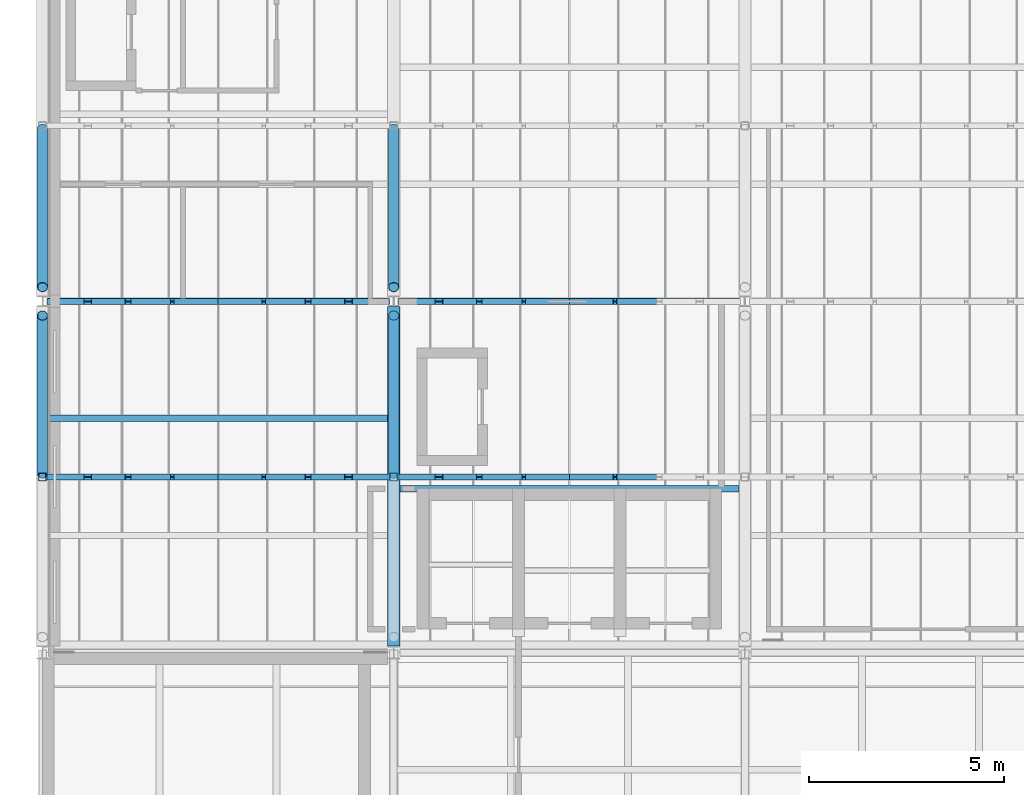
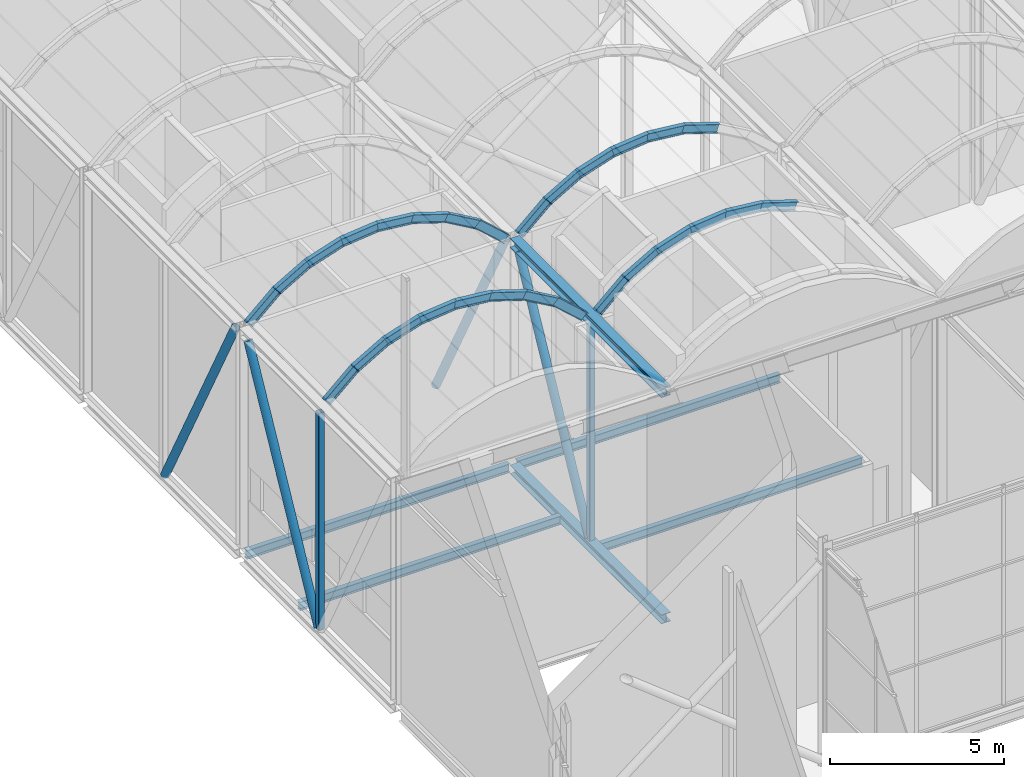
# One storey, part 94 of 144: 34 members, 6 beams.
"""IFC4 building model written with IfcOpenShell, lengths in metres."""

from ifc_helpers import new_model, si_unit, direction, frame, origin, origin_2d, place, context, subcontext, project, spatial, hollow_rectangle, hollow_circle, i_section, extrude, material, material_profile, profile_set, type_object, element, save


model = new_model("IFC4")

# Units and contexts
model_context = context("Model", 3, precision=1e-05, world=origin(), true_north=direction((0.0, 1.0)))
body_context = subcontext(model_context, "Body", "Model", "MODEL_VIEW")
ifc_project = project(units=[si_unit("LENGTHUNIT", "METRE"), si_unit("AREAUNIT", "SQUARE_METRE"), si_unit("VOLUMEUNIT", "CUBIC_METRE"), si_unit("PLANEANGLEUNIT", "RADIAN"), si_unit("MASSUNIT", "GRAM", prefix="KILO")], contexts=[model_context])

# Site, building, storey
site_placement = place(None, origin())
site = spatial("IfcSite", under=ifc_project, at=site_placement, CompositionType="ELEMENT")
building_placement = place(site_placement, origin())
building = spatial("IfcBuilding", under=site, at=building_placement, Name="Shorebreak Coast Museum", CompositionType="ELEMENT")
storey_placement = place(building_placement, frame((0.0, 0.0, 36.0)))
storey = spatial("IfcBuildingStorey", under=building, at=storey_placement, Name="L06", CompositionType="ELEMENT", Elevation=36.0)

# Beams
ifc_material_1 = material(Name="Steel Grade 300", Category="steel")
ifc_material_profile_1 = material_profile(ifc_material_1, i_section(OverallWidth=0.166015625, OverallDepth=0.30712890625, WebThickness=0.006591796875, FlangeThickness=0.01171875, FilletRadius=0.011474609375, at=origin_2d()), Name="310UB46.2")
ifc_profile_set_1 = profile_set([ifc_material_profile_1], Name="Steel Grade 300")
beam_type_1 = type_object("IfcBeamType", Name="Floor girder east-west 310UB46.2", PredefinedType="BEAM", material=ifc_profile_set_1)
for number, where, z_axis, x_axis, name in (
    (1, (54.126953125, 99.0, -0.32861328125), (1.0, 0.0, 0.0), (0.0, 1.0, 0.0), "Floor girder east-west L06 7M"),
    (2, (63.126953125, 99.0, -0.32861328125), (1.0, 0.0, 0.0), (0.0, 1.0, 0.0), "Floor girder east-west L06 8M"),
):
    element("IfcBeam", number, at=place(storey_placement, frame(where, z_axis=z_axis, x_axis=x_axis)), inside=storey, type_object=beam_type_1, Name=name, PredefinedType="BEAM", context=body_context, shape_type="SweptSolid", body=[
        extrude(i_section(OverallWidth=0.166015625, OverallDepth=0.30712890625, WebThickness=0.006591796875, FlangeThickness=0.01171875, FilletRadius=0.011474609375, at=origin_2d()), origin(), (0.0, 0.0, 1.0), 8.74609375),
    ])
ifc_material_2 = material(Name="Steel Grade 300", Category="steel")
ifc_material_profile_2 = material_profile(ifc_material_2, i_section(OverallWidth=0.1650390625, OverallDepth=0.303955078125, WebThickness=0.006103515625, FlangeThickness=0.01025390625, FilletRadius=0.011474609375, at=origin_2d()), Name="310UB40.4")
ifc_profile_set_2 = profile_set([ifc_material_profile_2], Name="Steel Grade 300")
beam_type_2 = type_object("IfcBeamType", Name="Floor joist 310UB40.4", PredefinedType="JOIST", material=ifc_profile_set_2)
for number, where, z_axis, x_axis, name in (
    (3, (54.155517578125, 96.0, -0.326904296875), (1.0, 0.0, 0.0), (0.0, 1.0, 0.0), "Floor joist L06 bay 7L at 6000 mm"),
    (4, (63.155517578125, 94.199951171875, -0.326904296875), (1.0, 0.0, 0.0), (0.0, 1.0, 0.0), "Floor joist L06 bay 8L at 4200 mm"),
):
    element("IfcBeam", number, at=place(storey_placement, frame(where, z_axis=z_axis, x_axis=x_axis)), inside=storey, type_object=beam_type_2, Name=name, PredefinedType="JOIST", context=body_context, shape_type="SweptSolid", body=[
        extrude(i_section(OverallWidth=0.1650390625, OverallDepth=0.303955078125, WebThickness=0.006103515625, FlangeThickness=0.01025390625, FilletRadius=0.011474609375, at=origin_2d()), origin(), (0.0, 0.0, 1.0), 8.68896484375),
    ])
ifc_material_3 = material(Name="Steel Grade 300", Category="steel")
ifc_material_profile_3 = material_profile(ifc_material_3, i_section(OverallWidth=0.30908203125, OverallDepth=0.320556640625, WebThickness=0.013916015625, FlangeThickness=0.021728515625, FilletRadius=0.0166015625, at=origin_2d()), Name="310UC137")
ifc_profile_set_3 = profile_set([ifc_material_profile_3], Name="Steel Grade 300")
beam_type_3 = type_object("IfcBeamType", Name="Transfer truss chord 310UC137", PredefinedType="BEAM", material=ifc_profile_set_3)
beam_1_placement = place(storey_placement, frame((63.0, 90.16357421875, -0.335205078125), z_axis=(0.0, 1.0, 0.0), x_axis=(-1.0, 0.0, 0.0)))
element("IfcBeam", 5, at=beam_1_placement, inside=storey, type_object=beam_type_3, Name="Transfer truss TR2 chord C05", PredefinedType="BEAM", context=body_context, shape_type="SweptSolid", body=[
    extrude(i_section(OverallWidth=0.30908203125, OverallDepth=0.320556640625, WebThickness=0.013916015625, FlangeThickness=0.021728515625, FilletRadius=0.0166015625, at=origin_2d()), origin(), (0.0, 0.0, 1.0), 8.70947265625),
])
ifc_material_4 = material(Name="Steel Grade 300", Category="steel")
ifc_material_profile_4 = material_profile(ifc_material_4, i_section(OverallWidth=0.31103515625, OverallDepth=0.3271484375, WebThickness=0.015625, FlangeThickness=0.02490234375, FilletRadius=0.0166015625, at=origin_2d()), Name="310UC158")
ifc_profile_set_4 = profile_set([ifc_material_profile_4], Name="Steel Grade 300")
beam_type_4 = type_object("IfcBeamType", Name="Transfer truss chord 310UC158", PredefinedType="BEAM", material=ifc_profile_set_4)
beam_2_placement = place(storey_placement, frame((63.0, 90.16357421875, 7.621337890625), z_axis=(0.0, 1.0, 0.0), x_axis=(-1.0, 0.0, 0.0)))
element("IfcBeam", 6, at=beam_2_placement, inside=storey, type_object=beam_type_4, Name="Transfer truss TR2 chord C09", PredefinedType="BEAM", context=body_context, shape_type="SweptSolid", body=[
    extrude(i_section(OverallWidth=0.31103515625, OverallDepth=0.3271484375, WebThickness=0.015625, FlangeThickness=0.02490234375, FilletRadius=0.0166015625, at=origin_2d()), origin(), (0.0, 0.0, 1.0), 8.70947265625),
])

# Members
ifc_material_5 = material(Name="Steel Grade C350L0", Category="steel")
ifc_material_profile_5 = material_profile(ifc_material_5, hollow_circle(Radius=0.136474609375, WallThickness=0.00927734375, at=origin_2d()), Name="273.1x9.3 CHS")
ifc_profile_set_5 = profile_set([ifc_material_profile_5], Name="Steel Grade C350L0")
member_type_1 = type_object("IfcMemberType", Name="Transfer truss diagonal 273.1x9.3 CHS", PredefinedType="BRACE", material=ifc_profile_set_5)
for number, where, z_axis, x_axis, name in (
    (7, (54.0, 94.585205078125, -0.175048828125), (0.0, 0.468802638879, 0.883302941114), (-1.0, 0.0, 0.0), "Transfer truss TR1 diagonal D11"),
    (8, (54.0, 103.414794921875, -0.175048828125), (0.0, -0.468802638879, 0.883302941114), (1.0, 0.0, 0.0), "Transfer truss TR1 diagonal D12"),
    (9, (63.0, 94.585205078125, -0.175048828125), (0.0, 0.468802638879, 0.883302941114), (-1.0, 0.0, 0.0), "Transfer truss TR2 diagonal D11"),
    (10, (63.0, 103.414794921875, -0.175048828125), (0.0, -0.468802638879, 0.883302941114), (1.0, 0.0, 0.0), "Transfer truss TR2 diagonal D12"),
):
    element("IfcMember", number, at=place(storey_placement, frame(where, z_axis=z_axis, x_axis=x_axis)), inside=storey, type_object=member_type_1, Name=name, PredefinedType="BRACE", context=body_context, shape_type="SweptSolid", body=[
        extrude(hollow_circle(Radius=0.136474609375, WallThickness=0.00927734375, at=origin_2d()), origin(), (0.0, 0.0, 1.0), 8.64111328125),
    ])
ifc_material_6 = material(Name="Steel Grade C450L0", Category="steel")
ifc_material_profile_6 = material_profile(ifc_material_6, hollow_rectangle(XDim=0.199951171875, YDim=0.199951171875, WallThickness=0.009033203125, InnerFilletRadius=0.013427734375, OuterFilletRadius=0.0224609375, at=origin_2d()), Name="200x200x9.0 SHS")
ifc_profile_set_6 = profile_set([ifc_material_profile_6], Name="Steel Grade C450L0")
member_type_2 = type_object("IfcMemberType", Name="Transfer truss strut 200x200x9.0 SHS", PredefinedType="STRUT", material=ifc_profile_set_6)
for number, where, z_axis, x_axis, name in (
    (11, (54.0, 94.5, -0.175048828125), (0.0, 0.0, 1.0), (1.0, 0.0, 0.0), "Transfer truss TR1 strut V08"),
    (12, (63.0, 94.5, -0.175048828125), (0.0, 0.0, 1.0), (1.0, 0.0, 0.0), "Transfer truss TR2 strut V08"),
):
    element("IfcMember", number, at=place(storey_placement, frame(where, z_axis=z_axis, x_axis=x_axis)), inside=storey, type_object=member_type_2, Name=name, PredefinedType="STRUT", context=body_context, shape_type="SweptSolid", body=[
        extrude(hollow_rectangle(XDim=0.199951171875, YDim=0.199951171875, WallThickness=0.009033203125, InnerFilletRadius=0.013427734375, OuterFilletRadius=0.0224609375, at=origin_2d()), origin(), (0.0, 0.0, 1.0), 7.6328125),
    ])
ifc_material_7 = material(Name="Steel Grade 300", Category="steel")
ifc_material_profile_7 = material_profile(ifc_material_7, i_section(OverallWidth=0.14892578125, OverallDepth=0.298095703125, WebThickness=0.005615234375, FlangeThickness=0.008056640625, FilletRadius=0.012939453125, at=origin_2d()), Name="310UB32.0")
ifc_profile_set_7 = profile_set([ifc_material_profile_7], Name="Steel Grade 300")
member_type_3 = type_object("IfcMemberType", Name="Vault arch rib 310UB32.0", PredefinedType="RAFTER", material=ifc_profile_set_7)
for number, where, z_axis, x_axis, name in (
    (13, (54.21240234375, 94.5, 7.7216796875), (0.743894909598, 0.0, 0.668296613394), (0.0, 1.0, 0.0), "Vault arch rib V1 line 01 facet 1"),
    (14, (54.21240234375, 99.0, 7.7216796875), (0.743894909598, 0.0, 0.668296613394), (0.0, 1.0, 0.0), "Vault arch rib V1 line 02 facet 1"),
):
    element("IfcMember", number, at=place(storey_placement, frame(where, z_axis=z_axis, x_axis=x_axis)), inside=storey, type_object=member_type_3, Name=name, PredefinedType="RAFTER", context=body_context, shape_type="SweptSolid", body=[
        extrude(i_section(OverallWidth=0.14892578125, OverallDepth=0.298095703125, WebThickness=0.005615234375, FlangeThickness=0.008056640625, FilletRadius=0.012939453125, at=origin_2d()), origin(), (0.0, 0.0, 1.0), 1.2724609375),
    ])
for number, where, z_axis, x_axis, name in (
    (15, (55.1337890625, 94.5, 8.5537109375), (0.866444596228, 0.0, 0.499273233478), (0.0, 1.0, 0.0), "Vault arch rib V1 line 01 facet 2"),
    (16, (55.1337890625, 99.0, 8.5537109375), (0.866444596228, 0.0, 0.499273233478), (0.0, 1.0, 0.0), "Vault arch rib V1 line 02 facet 2"),
    (17, (56.165283203125, 94.5, 9.152099609375), (0.951225984169, 0.0, 0.308494938436), (0.0, 1.0, 0.0), "Vault arch rib V1 line 01 facet 3"),
    (18, (56.165283203125, 99.0, 9.152099609375), (0.951225984169, 0.0, 0.308494938436), (0.0, 1.0, 0.0), "Vault arch rib V1 line 02 facet 3"),
    (19, (57.298828125, 94.5, 9.52294921875), (0.994539296345, 0.0, 0.104362771266), (0.0, 1.0, 0.0), "Vault arch rib V1 line 01 facet 4"),
    (20, (57.298828125, 99.0, 9.52294921875), (0.994539296345, 0.0, 0.104362771266), (0.0, 1.0, 0.0), "Vault arch rib V1 line 02 facet 4"),
    (21, (58.484375, 94.5, 9.650634765625), (0.994539296345, 0.0, -0.104362771266), (0.0, 1.0, 0.0), "Vault arch rib V1 line 01 facet 5"),
    (22, (58.484375, 99.0, 9.650634765625), (0.994539296345, 0.0, -0.104362771266), (0.0, 1.0, 0.0), "Vault arch rib V1 line 02 facet 5"),
    (23, (59.6708984375, 94.5, 9.529541015625), (0.951225984169, 0.0, -0.308494938436), (0.0, 1.0, 0.0), "Vault arch rib V1 line 01 facet 6"),
    (24, (59.6708984375, 99.0, 9.529541015625), (0.951225984169, 0.0, -0.308494938436), (0.0, 1.0, 0.0), "Vault arch rib V1 line 02 facet 6"),
    (25, (60.80615234375, 94.5, 9.16455078125), (0.866444596228, 0.0, -0.499273233478), (0.0, 1.0, 0.0), "Vault arch rib V1 line 01 facet 7"),
    (26, (60.80615234375, 99.0, 9.16455078125), (0.866444596228, 0.0, -0.499273233478), (0.0, 1.0, 0.0), "Vault arch rib V1 line 02 facet 7"),
):
    element("IfcMember", number, at=place(storey_placement, frame(where, z_axis=z_axis, x_axis=x_axis)), inside=storey, type_object=member_type_3, Name=name, PredefinedType="RAFTER", context=body_context, shape_type="SweptSolid", body=[
        extrude(i_section(OverallWidth=0.14892578125, OverallDepth=0.298095703125, WebThickness=0.005615234375, FlangeThickness=0.008056640625, FilletRadius=0.012939453125, at=origin_2d()), origin(), (0.0, 0.0, 1.0), 1.223388671875),
    ])
for number, where, z_axis, x_axis, name in (
    (27, (61.841064453125, 94.5, 8.572021484375), (0.743894909598, 0.0, -0.668296613394), (0.0, 1.0, 0.0), "Vault arch rib V1 line 01 facet 8"),
    (28, (61.841064453125, 99.0, 8.572021484375), (0.743894909598, 0.0, -0.668296613394), (0.0, 1.0, 0.0), "Vault arch rib V1 line 02 facet 8"),
    (29, (63.21240234375, 94.5, 7.7216796875), (0.743894909598, 0.0, 0.668296613394), (0.0, 1.0, 0.0), "Vault arch rib V2 line 01 facet 1"),
    (30, (63.21240234375, 99.0, 7.7216796875), (0.743894909598, 0.0, 0.668296613394), (0.0, 1.0, 0.0), "Vault arch rib V2 line 02 facet 1"),
):
    element("IfcMember", number, at=place(storey_placement, frame(where, z_axis=z_axis, x_axis=x_axis)), inside=storey, type_object=member_type_3, Name=name, PredefinedType="RAFTER", context=body_context, shape_type="SweptSolid", body=[
        extrude(i_section(OverallWidth=0.14892578125, OverallDepth=0.298095703125, WebThickness=0.005615234375, FlangeThickness=0.008056640625, FilletRadius=0.012939453125, at=origin_2d()), origin(), (0.0, 0.0, 1.0), 1.2724609375),
    ])
for number, where, z_axis, x_axis, name in (
    (31, (64.1337890625, 94.5, 8.5537109375), (0.866444596228, 0.0, 0.499273233478), (0.0, 1.0, 0.0), "Vault arch rib V2 line 01 facet 2"),
    (32, (64.1337890625, 99.0, 8.5537109375), (0.866444596228, 0.0, 0.499273233478), (0.0, 1.0, 0.0), "Vault arch rib V2 line 02 facet 2"),
    (33, (65.165283203125, 94.5, 9.152099609375), (0.951225984169, 0.0, 0.308494938436), (0.0, 1.0, 0.0), "Vault arch rib V2 line 01 facet 3"),
    (34, (65.165283203125, 99.0, 9.152099609375), (0.951225984169, 0.0, 0.308494938436), (0.0, 1.0, 0.0), "Vault arch rib V2 line 02 facet 3"),
    (35, (66.298828125, 94.5, 9.52294921875), (0.994539296345, 0.0, 0.104362771266), (0.0, 1.0, 0.0), "Vault arch rib V2 line 01 facet 4"),
    (36, (66.298828125, 99.0, 9.52294921875), (0.994539296345, 0.0, 0.104362771266), (0.0, 1.0, 0.0), "Vault arch rib V2 line 02 facet 4"),
    (37, (67.484375, 94.5, 9.650634765625), (0.994539296345, 0.0, -0.104362771266), (0.0, 1.0, 0.0), "Vault arch rib V2 line 01 facet 5"),
    (38, (67.484375, 99.0, 9.650634765625), (0.994539296345, 0.0, -0.104362771266), (0.0, 1.0, 0.0), "Vault arch rib V2 line 02 facet 5"),
    (39, (68.6708984375, 94.5, 9.529541015625), (0.951225984169, 0.0, -0.308494938436), (0.0, 1.0, 0.0), "Vault arch rib V2 line 01 facet 6"),
    (40, (68.6708984375, 99.0, 9.529541015625), (0.951225984169, 0.0, -0.308494938436), (0.0, 1.0, 0.0), "Vault arch rib V2 line 02 facet 6"),
):
    element("IfcMember", number, at=place(storey_placement, frame(where, z_axis=z_axis, x_axis=x_axis)), inside=storey, type_object=member_type_3, Name=name, PredefinedType="RAFTER", context=body_context, shape_type="SweptSolid", body=[
        extrude(i_section(OverallWidth=0.14892578125, OverallDepth=0.298095703125, WebThickness=0.005615234375, FlangeThickness=0.008056640625, FilletRadius=0.012939453125, at=origin_2d()), origin(), (0.0, 0.0, 1.0), 1.223388671875),
    ])

save(model, "model.ifc")
